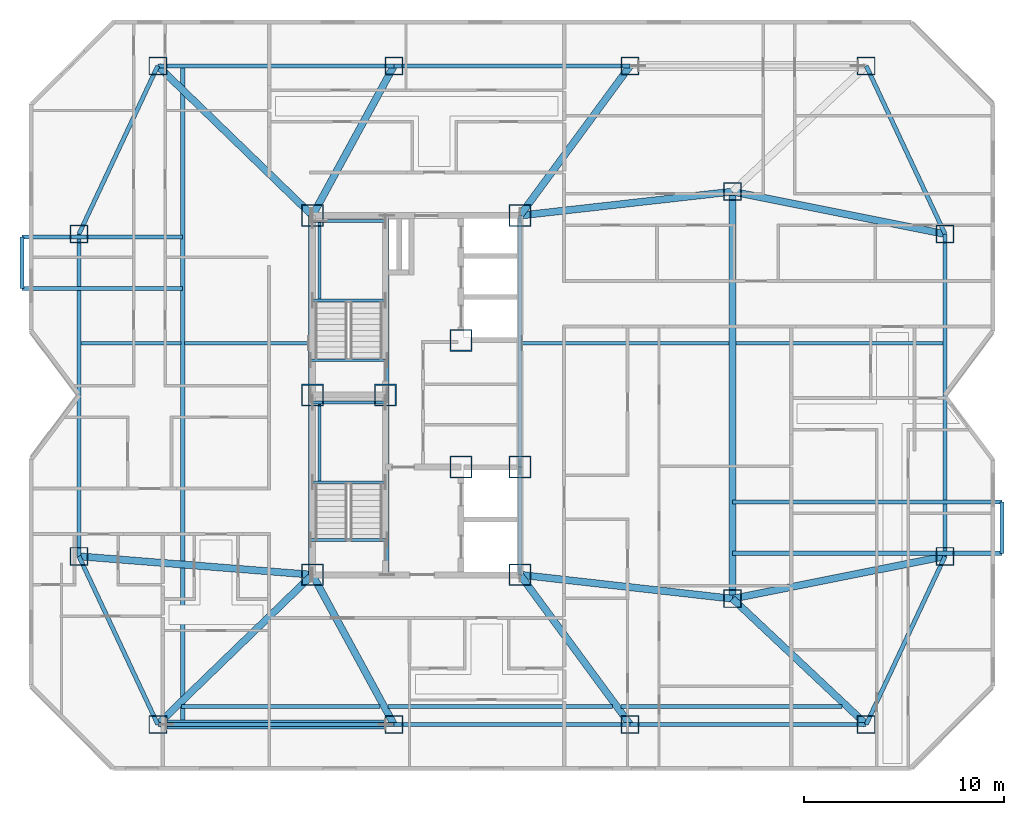
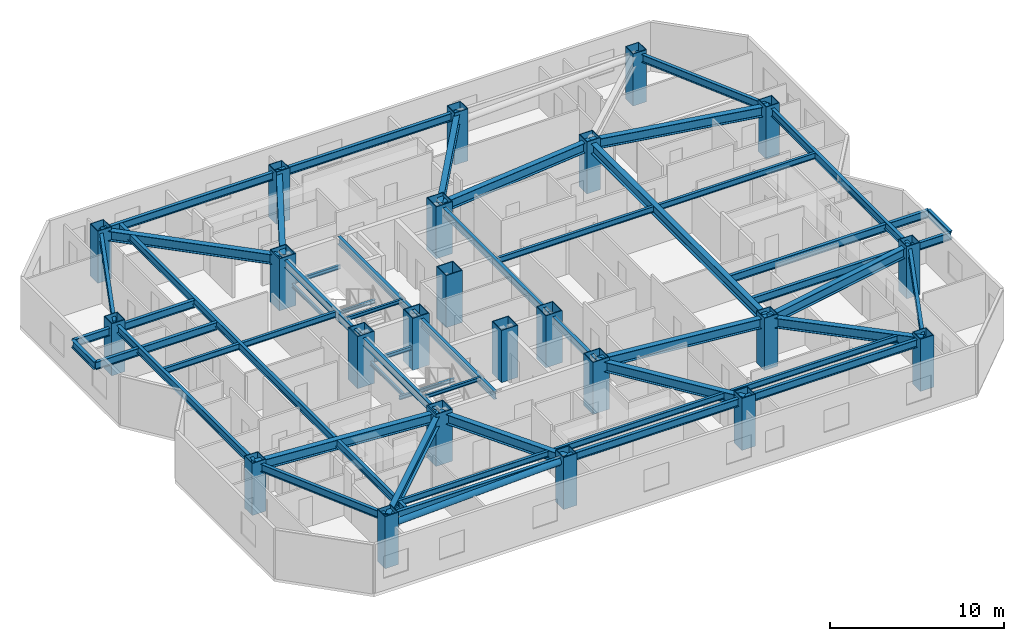
# One storey, part 1 of 13: 52 beams, 23 columns, 1 member.
"""IFC4 building model written with IfcOpenShell, lengths in metres."""

from ifc_helpers import new_model, si_unit, direction, frame, origin, origin_2d, place, context, subcontext, project, spatial, hollow_rectangle, hollow_circle, i_section, extrude, material, material_profile, profile_set, type_object, element, save


model = new_model("IFC4")

# Units and contexts
model_context = context("Model", 3, precision=1e-05, world=origin(), true_north=direction((0.0, 1.0)))
body_context = subcontext(model_context, "Body", "Model", "MODEL_VIEW")
ifc_project = project(units=[si_unit("LENGTHUNIT", "METRE"), si_unit("AREAUNIT", "SQUARE_METRE"), si_unit("VOLUMEUNIT", "CUBIC_METRE"), si_unit("PLANEANGLEUNIT", "RADIAN"), si_unit("MASSUNIT", "GRAM", prefix="KILO")], contexts=[model_context])

# Site, building, storey
site_placement = place(None, origin())
site = spatial("IfcSite", under=ifc_project, at=site_placement, CompositionType="ELEMENT")
building_placement = place(site_placement, origin())
building = spatial("IfcBuilding", under=site, at=building_placement, Name="Khamvora Tower", CompositionType="ELEMENT")
storey_placement = place(building_placement, frame((0.0, 0.0, 166.85009765625)))
storey = spatial("IfcBuildingStorey", under=building, at=storey_placement, Name="L42", CompositionType="ELEMENT", Elevation=166.85009765625)

# Columns
ifc_material_1 = material(Name="Steel S460", Category="steel")
ifc_material_profile_1 = material_profile(ifc_material_1, hollow_rectangle(XDim=1.10009765625, YDim=1.10009765625, WallThickness=0.054931640625, at=origin_2d()), Name="BOX1100x1100x55")
ifc_profile_set_1 = profile_set([ifc_material_profile_1], Name="Steel S460")
column_type_1 = type_object("IfcColumnType", Name="COL-BOX1100", PredefinedType="COLUMN", material=ifc_profile_set_1)
for number, where, z_axis, x_axis, name in (
    (1, (29.0, 19.0, 0.0), (0.0, 0.0, 1.0), (1.0, 0.0, 0.0), "L42 plumb core spine column SC1"),
    (2, (32.64990234375, 28.0, 0.0), (0.0, 0.0, 1.0), (1.0, 0.0, 0.0), "L42 plumb core spine column SC2"),
    (3, (39.39990234375, 19.0, 0.0), (0.0, 0.0, 1.0), (1.0, 0.0, 0.0), "L42 plumb core spine column SC3"),
    (4, (29.0, 28.0, 0.0), (0.0, 0.0, 1.0), (1.0, 0.0, 0.0), "L42 plumb core spine column SC4"),
    (5, (36.449951171875, 24.39990234375, 0.0), (0.0, 0.0, 1.0), (1.0, 0.0, 0.0), "L42 plumb core spine column SC5"),
    (6, (39.39990234375, 24.39990234375, 0.0), (0.0, 0.0, 1.0), (1.0, 0.0, 0.0), "L42 plumb core spine column SC6"),
    (7, (29.0, 37.0, 0.0), (0.0, 0.0, 1.0), (1.0, 0.0, 0.0), "L42 plumb core spine column SC7"),
    (8, (36.449951171875, 30.75, 0.0), (0.0, 0.0, 1.0), (1.0, 0.0, 0.0), "L42 plumb core spine column SC8"),
    (9, (39.39990234375, 37.0, 0.0), (0.0, 0.0, 1.0), (1.0, 0.0, 0.0), "L42 plumb core spine column SC9"),
):
    element("IfcColumn", number, at=place(storey_placement, frame(where, z_axis=z_axis, x_axis=x_axis)), inside=storey, type_object=column_type_1, Name=name, PredefinedType="COLUMN", context=body_context, shape_type="SweptSolid", body=[
        extrude(hollow_rectangle(XDim=1.10009765625, YDim=1.10009765625, WallThickness=0.054931640625, at=origin_2d()), origin(), (0.0, 0.0, 1.0), 3.64990234375),
    ])
ifc_material_2 = material(Name="Steel S355", Category="steel")
ifc_material_profile_2 = material_profile(ifc_material_2, hollow_rectangle(XDim=0.89990234375, YDim=0.89990234375, WallThickness=0.044921875, at=origin_2d()), Name="BOX900x900x45")
ifc_profile_set_2 = profile_set([ifc_material_profile_2], Name="Steel S355")
column_type_2 = type_object("IfcColumnType", Name="COL-BOX900", PredefinedType="COLUMN", material=ifc_profile_set_2)
for number, where, z_axis, x_axis, name in (
    (10, (21.25, 11.5, 0.0), (0.0, 0.0, 1.0), (1.0, 0.0, 0.0), "L42 structural frame column S1"),
    (11, (33.0830078125, 11.5, 0.0), (0.0, 0.0, 1.0), (1.0, 0.0, 0.0), "L42 structural frame column S2"),
    (12, (44.9169921875, 11.5, 0.0), (0.0, 0.0, 1.0), (1.0, 0.0, 0.0), "L42 structural frame column S3"),
    (13, (56.75, 11.5, 0.0), (0.0, 0.0, 1.0), (1.0, 0.0, 0.0), "L42 structural frame column S4"),
    (14, (21.25, 44.5, 0.0), (0.0, 0.0, 1.0), (1.0, 0.0, 0.0), "L42 structural frame column N1"),
    (15, (33.0830078125, 44.5, 0.0), (0.0, 0.0, 1.0), (1.0, 0.0, 0.0), "L42 structural frame column N2"),
    (16, (44.9169921875, 44.5, 0.0), (0.0, 0.0, 1.0), (1.0, 0.0, 0.0), "L42 structural frame column N3"),
    (17, (56.75, 44.5, 0.0), (0.0, 0.0, 1.0), (1.0, 0.0, 0.0), "L42 structural frame column N4"),
    (18, (17.300048828125, 19.925048828125, 0.0), (0.0, 0.0, 1.0), (1.0, 0.0, 0.0), "L42 structural frame column W1"),
    (19, (17.300048828125, 36.074951171875, 0.0), (0.0, 0.0, 1.0), (1.0, 0.0, 0.0), "L42 structural frame column W2"),
    (20, (60.699951171875, 19.925048828125, 0.0), (0.0, 0.0, 1.0), (1.0, 0.0, 0.0), "L42 structural frame column E1"),
    (21, (60.699951171875, 36.074951171875, 0.0), (0.0, 0.0, 1.0), (1.0, 0.0, 0.0), "L42 structural frame column E2"),
    (22, (50.050048828125, 17.800048828125, 0.0), (0.0, 0.0, 1.0), (1.0, 0.0, 0.0), "L42 structural frame column M1"),
    (23, (50.050048828125, 38.199951171875, 0.0), (0.0, 0.0, 1.0), (1.0, 0.0, 0.0), "L42 structural frame column M2"),
):
    element("IfcColumn", number, at=place(storey_placement, frame(where, z_axis=z_axis, x_axis=x_axis)), inside=storey, type_object=column_type_2, Name=name, PredefinedType="COLUMN", context=body_context, shape_type="SweptSolid", body=[
        extrude(hollow_rectangle(XDim=0.89990234375, YDim=0.89990234375, WallThickness=0.044921875, at=origin_2d()), origin(), (0.0, 0.0, 1.0), 3.64990234375),
    ])

# Beams
ifc_material_profile_3 = material_profile(ifc_material_2, i_section(OverallWidth=0.177978515625, OverallDepth=0.406982421875, WebThickness=0.008056640625, FlangeThickness=0.012939453125, FilletRadius=0.010009765625, at=origin_2d()), Name="W410x60")
ifc_profile_set_3 = profile_set([ifc_material_profile_3], Name="Steel S355")
beam_type_1 = type_object("IfcBeamType", Name="BM-JS-W410x60", PredefinedType="JOIST", material=ifc_profile_set_3)
beam_1_placement = place(storey_placement, frame((22.429931640625, 12.39990234375, 3.226806640625), z_axis=(1.0, 0.0, 0.0), x_axis=(0.0, 1.0, 0.0)))
element("IfcBeam", 24, at=beam_1_placement, inside=storey, type_object=beam_type_1, Name="L42 secondary floor joist 01", PredefinedType="JOIST", context=body_context, shape_type="SweptSolid", body=[
    extrude(i_section(OverallWidth=0.177978515625, OverallDepth=0.406982421875, WebThickness=0.008056640625, FlangeThickness=0.012939453125, FilletRadius=0.010009765625, at=origin_2d()), origin(), (0.0, 0.0, 1.0), 9.966064453125),
])
beam_2_placement = place(storey_placement, frame((32.7900390625, 12.39990234375, 3.226806640625), z_axis=(1.0, 0.0, 0.0), x_axis=(0.0, 1.0, 0.0)))
element("IfcBeam", 25, at=beam_2_placement, inside=storey, type_object=beam_type_1, Name="L42 secondary floor joist 02", PredefinedType="JOIST", context=body_context, shape_type="SweptSolid", body=[
    extrude(i_section(OverallWidth=0.177978515625, OverallDepth=0.406982421875, WebThickness=0.008056640625, FlangeThickness=0.012939453125, FilletRadius=0.010009765625, at=origin_2d()), origin(), (0.0, 0.0, 1.0), 11.25),
])
beam_3_placement = place(storey_placement, frame((44.469970703125, 12.39990234375, 3.226806640625), z_axis=(1.0, 0.0, 0.0), x_axis=(0.0, 1.0, 0.0)))
element("IfcBeam", 26, at=beam_3_placement, inside=storey, type_object=beam_type_1, Name="L42 secondary floor joist 03", PredefinedType="JOIST", context=body_context, shape_type="SweptSolid", body=[
    extrude(i_section(OverallWidth=0.177978515625, OverallDepth=0.406982421875, WebThickness=0.008056640625, FlangeThickness=0.012939453125, FilletRadius=0.010009765625, at=origin_2d()), origin(), (0.0, 0.0, 1.0), 11.069091796875),
])
beam_4_placement = place(storey_placement, frame((17.40087890625, 30.60009765625, 3.226806640625), z_axis=(1.0, 0.0, 0.0), x_axis=(0.0, 1.0, 0.0)))
element("IfcBeam", 27, at=beam_4_placement, inside=storey, type_object=beam_type_1, Name="L42 secondary floor joist 04", PredefinedType="JOIST", context=body_context, shape_type="SweptSolid", body=[
    extrude(i_section(OverallWidth=0.177978515625, OverallDepth=0.406982421875, WebThickness=0.008056640625, FlangeThickness=0.012939453125, FilletRadius=0.010009765625, at=origin_2d()), origin(), (0.0, 0.0, 1.0), 5.0),
])
beam_5_placement = place(storey_placement, frame((22.59912109375, 30.60009765625, 3.226806640625), z_axis=(1.0, 0.0, 0.0), x_axis=(0.0, 1.0, 0.0)))
element("IfcBeam", 28, at=beam_5_placement, inside=storey, type_object=beam_type_1, Name="L42 secondary floor joist 05", PredefinedType="JOIST", context=body_context, shape_type="SweptSolid", body=[
    extrude(i_section(OverallWidth=0.177978515625, OverallDepth=0.406982421875, WebThickness=0.008056640625, FlangeThickness=0.012939453125, FilletRadius=0.010009765625, at=origin_2d()), origin(), (0.0, 0.0, 1.0), 6.200927734375),
])
beam_6_placement = place(storey_placement, frame((39.4990234375, 30.60009765625, 3.226806640625), z_axis=(1.0, 0.0, 0.0), x_axis=(0.0, 1.0, 0.0)))
element("IfcBeam", 29, at=beam_6_placement, inside=storey, type_object=beam_type_1, Name="L42 secondary floor joist 06", PredefinedType="JOIST", context=body_context, shape_type="SweptSolid", body=[
    extrude(i_section(OverallWidth=0.177978515625, OverallDepth=0.406982421875, WebThickness=0.008056640625, FlangeThickness=0.012939453125, FilletRadius=0.010009765625, at=origin_2d()), origin(), (0.0, 0.0, 1.0), 10.3779296875),
])
beam_7_placement = place(storey_placement, frame((50.221923828125, 30.60009765625, 3.226806640625), z_axis=(1.0, 0.0, 0.0), x_axis=(0.0, 1.0, 0.0)))
element("IfcBeam", 30, at=beam_7_placement, inside=storey, type_object=beam_type_1, Name="L42 secondary floor joist 07", PredefinedType="JOIST", context=body_context, shape_type="SweptSolid", body=[
    extrude(i_section(OverallWidth=0.177978515625, OverallDepth=0.406982421875, WebThickness=0.008056640625, FlangeThickness=0.012939453125, FilletRadius=0.010009765625, at=origin_2d()), origin(), (0.0, 0.0, 1.0), 10.377197265625),
])
ifc_material_profile_4 = material_profile(ifc_material_2, i_section(OverallWidth=0.14697265625, OverallDepth=0.261962890625, WebThickness=0.007080078125, FlangeThickness=0.010986328125, FilletRadius=0.008056640625, at=origin_2d()), Name="W250x39")
ifc_profile_set_4 = profile_set([ifc_material_profile_4], Name="Steel S355")
beam_type_2 = type_object("IfcBeamType", Name="BM-LN-W250x39", PredefinedType="LINTEL", material=ifc_profile_set_4)
for number, where, z_axis, x_axis, name in (
    (31, (29.0, 23.635009765625, 1.493896484375), (1.0, 0.0, 0.0), (0.0, 1.0, 0.0), "L42 ST-01 half-landing support beam 1.1"),
    (32, (29.0, 27.6298828125, 1.493896484375), (1.0, 0.0, 0.0), (0.0, 1.0, 0.0), "L42 ST-01 half-landing support beam 1.2"),
):
    element("IfcBeam", number, at=place(storey_placement, frame(where, z_axis=z_axis, x_axis=x_axis)), inside=storey, type_object=beam_type_2, Name=name, PredefinedType="LINTEL", context=body_context, shape_type="SweptSolid", body=[
        extrude(i_section(OverallWidth=0.14697265625, OverallDepth=0.261962890625, WebThickness=0.007080078125, FlangeThickness=0.010986328125, FilletRadius=0.008056640625, at=origin_2d()), origin(), (0.0, 0.0, 1.0), 3.64990234375),
    ])
beam_8_placement = place(storey_placement, frame((29.35009765625, 23.635009765625, 1.493896484375), z_axis=(0.0, 1.0, 0.0), x_axis=(-1.0, 0.0, 0.0)))
element("IfcBeam", 33, at=beam_8_placement, inside=storey, type_object=beam_type_2, Name="L42 ST-01 half-landing edge stringer 1", PredefinedType="LINTEL", context=body_context, shape_type="SweptSolid", body=[
    extrude(i_section(OverallWidth=0.14697265625, OverallDepth=0.261962890625, WebThickness=0.007080078125, FlangeThickness=0.010986328125, FilletRadius=0.008056640625, at=origin_2d()), origin(), (0.0, 0.0, 1.0), 3.994873046875),
])
for number, where, z_axis, x_axis, name in (
    (34, (29.0, 32.735107421875, 1.493896484375), (1.0, 0.0, 0.0), (0.0, 1.0, 0.0), "L42 ST-02 half-landing support beam 1.1"),
    (35, (29.0, 36.72998046875, 1.493896484375), (1.0, 0.0, 0.0), (0.0, 1.0, 0.0), "L42 ST-02 half-landing support beam 1.2"),
):
    element("IfcBeam", number, at=place(storey_placement, frame(where, z_axis=z_axis, x_axis=x_axis)), inside=storey, type_object=beam_type_2, Name=name, PredefinedType="LINTEL", context=body_context, shape_type="SweptSolid", body=[
        extrude(i_section(OverallWidth=0.14697265625, OverallDepth=0.261962890625, WebThickness=0.007080078125, FlangeThickness=0.010986328125, FilletRadius=0.008056640625, at=origin_2d()), origin(), (0.0, 0.0, 1.0), 3.64990234375),
    ])
beam_9_placement = place(storey_placement, frame((29.35009765625, 32.735107421875, 1.493896484375), z_axis=(0.0, 1.0, 0.0), x_axis=(-1.0, 0.0, 0.0)))
element("IfcBeam", 36, at=beam_9_placement, inside=storey, type_object=beam_type_2, Name="L42 ST-02 half-landing edge stringer 1", PredefinedType="LINTEL", context=body_context, shape_type="SweptSolid", body=[
    extrude(i_section(OverallWidth=0.14697265625, OverallDepth=0.261962890625, WebThickness=0.007080078125, FlangeThickness=0.010986328125, FilletRadius=0.008056640625, at=origin_2d()), origin(), (0.0, 0.0, 1.0), 3.994873046875),
])
for number, where, z_axis, x_axis, name in (
    (37, (28.89990234375, 20.75, 3.303955078125), (1.0, 0.0, 0.0), (0.0, 1.0, 0.0), "L42 exit stair ST-01 landing trimmer beam"),
    (38, (28.89990234375, 29.75, 3.303955078125), (1.0, 0.0, 0.0), (0.0, 1.0, 0.0), "L42 exit stair ST-02 landing trimmer beam"),
):
    element("IfcBeam", number, at=place(storey_placement, frame(where, z_axis=z_axis, x_axis=x_axis)), inside=storey, type_object=beam_type_2, Name=name, PredefinedType="LINTEL", context=body_context, shape_type="SweptSolid", body=[
        extrude(i_section(OverallWidth=0.14697265625, OverallDepth=0.261962890625, WebThickness=0.007080078125, FlangeThickness=0.010986328125, FilletRadius=0.008056640625, at=origin_2d()), origin(), (0.0, 0.0, 1.0), 3.830078125),
    ])
ifc_material_profile_5 = material_profile(ifc_material_2, i_section(OverallWidth=0.35498046875, OverallDepth=0.695068359375, WebThickness=0.014892578125, FlangeThickness=0.02490234375, FilletRadius=0.01611328125, at=origin_2d()), Name="W690x217")
ifc_profile_set_5 = profile_set([ifc_material_profile_5], Name="Steel S355")
beam_type_3 = type_object("IfcBeamType", Name="BM-PG-W690x217", PredefinedType="BEAM", material=ifc_profile_set_5)
beam_10_placement = place(storey_placement, frame((50.050048828125, 17.800048828125, 3.0830078125), z_axis=(0.0, 1.0, 0.0), x_axis=(-1.0, 0.0, 0.0)))
element("IfcBeam", 39, at=beam_10_placement, inside=storey, type_object=beam_type_3, Name="L42 longitudinal frame girder M1-M2", PredefinedType="BEAM", context=body_context, shape_type="SweptSolid", body=[
    extrude(i_section(OverallWidth=0.35498046875, OverallDepth=0.695068359375, WebThickness=0.014892578125, FlangeThickness=0.02490234375, FilletRadius=0.01611328125, at=origin_2d()), origin(), (0.0, 0.0, 1.0), 20.39990234375),
])
beam_11_placement = place(storey_placement, frame((29.0, 19.0, 3.0830078125), z_axis=(-0.718602141767, -0.695421427516, 0.0), x_axis=(0.695421427516, -0.718602141767, 0.0)))
element("IfcBeam", 40, at=beam_11_placement, inside=storey, type_object=beam_type_3, Name="L42 primary floor girder S1", PredefinedType="BEAM", context=body_context, shape_type="SweptSolid", body=[
    extrude(i_section(OverallWidth=0.35498046875, OverallDepth=0.695068359375, WebThickness=0.014892578125, FlangeThickness=0.02490234375, FilletRadius=0.01611328125, at=origin_2d()), origin(), (0.0, 0.0, 1.0), 10.784912109375),
])
beam_12_placement = place(storey_placement, frame((29.0, 19.0, 3.0830078125), z_axis=(0.478138862063, -0.878284252725, 0.0), x_axis=(0.878284252725, 0.478138862063, 0.0)))
element("IfcBeam", 41, at=beam_12_placement, inside=storey, type_object=beam_type_3, Name="L42 primary floor girder S2", PredefinedType="BEAM", context=body_context, shape_type="SweptSolid", body=[
    extrude(i_section(OverallWidth=0.35498046875, OverallDepth=0.695068359375, WebThickness=0.014892578125, FlangeThickness=0.02490234375, FilletRadius=0.01611328125, at=origin_2d()), origin(), (0.0, 0.0, 1.0), 8.539306640625),
])
beam_13_placement = place(storey_placement, frame((39.39990234375, 19.0, 3.0830078125), z_axis=(0.592556630955, -0.805528794713, 0.0), x_axis=(0.805528794713, 0.592556630955, 0.0)))
element("IfcBeam", 42, at=beam_13_placement, inside=storey, type_object=beam_type_3, Name="L42 primary floor girder S3", PredefinedType="BEAM", context=body_context, shape_type="SweptSolid", body=[
    extrude(i_section(OverallWidth=0.35498046875, OverallDepth=0.695068359375, WebThickness=0.014892578125, FlangeThickness=0.02490234375, FilletRadius=0.01611328125, at=origin_2d()), origin(), (0.0, 0.0, 1.0), 9.310546875),
])
beam_14_placement = place(storey_placement, frame((50.050048828125, 17.800048828125, 3.0830078125), z_axis=(0.728513992294, -0.685030921224, 0.0), x_axis=(0.685030921224, 0.728513992294, 0.0)))
element("IfcBeam", 43, at=beam_14_placement, inside=storey, type_object=beam_type_3, Name="L42 primary floor girder S4", PredefinedType="BEAM", context=body_context, shape_type="SweptSolid", body=[
    extrude(i_section(OverallWidth=0.35498046875, OverallDepth=0.695068359375, WebThickness=0.014892578125, FlangeThickness=0.02490234375, FilletRadius=0.01611328125, at=origin_2d()), origin(), (0.0, 0.0, 1.0), 9.19677734375),
])
beam_15_placement = place(storey_placement, frame((29.0, 37.0, 3.0830078125), z_axis=(-0.718602141767, 0.695421427516, 0.0), x_axis=(-0.695421427516, -0.718602141767, 0.0)))
element("IfcBeam", 44, at=beam_15_placement, inside=storey, type_object=beam_type_3, Name="L42 primary floor girder N1", PredefinedType="BEAM", context=body_context, shape_type="SweptSolid", body=[
    extrude(i_section(OverallWidth=0.35498046875, OverallDepth=0.695068359375, WebThickness=0.014892578125, FlangeThickness=0.02490234375, FilletRadius=0.01611328125, at=origin_2d()), origin(), (0.0, 0.0, 1.0), 10.784912109375),
])
beam_16_placement = place(storey_placement, frame((29.0, 37.0, 3.0830078125), z_axis=(0.478138862063, 0.878284252725, 0.0), x_axis=(-0.878284252725, 0.478138862063, 0.0)))
element("IfcBeam", 45, at=beam_16_placement, inside=storey, type_object=beam_type_3, Name="L42 primary floor girder N2", PredefinedType="BEAM", context=body_context, shape_type="SweptSolid", body=[
    extrude(i_section(OverallWidth=0.35498046875, OverallDepth=0.695068359375, WebThickness=0.014892578125, FlangeThickness=0.02490234375, FilletRadius=0.01611328125, at=origin_2d()), origin(), (0.0, 0.0, 1.0), 8.539306640625),
])
beam_17_placement = place(storey_placement, frame((39.39990234375, 37.0, 3.0830078125), z_axis=(0.592556630955, 0.805528794713, 0.0), x_axis=(-0.805528794713, 0.592556630955, 0.0)))
element("IfcBeam", 46, at=beam_17_placement, inside=storey, type_object=beam_type_3, Name="L42 primary floor girder N3", PredefinedType="BEAM", context=body_context, shape_type="SweptSolid", body=[
    extrude(i_section(OverallWidth=0.35498046875, OverallDepth=0.695068359375, WebThickness=0.014892578125, FlangeThickness=0.02490234375, FilletRadius=0.01611328125, at=origin_2d()), origin(), (0.0, 0.0, 1.0), 9.310546875),
])
beam_18_placement = place(storey_placement, frame((29.0, 19.0, 3.0830078125), z_axis=(-0.996888993668, 0.078818362728, 0.0), x_axis=(-0.078818362728, -0.996888993668, 0.0)))
element("IfcBeam", 47, at=beam_18_placement, inside=storey, type_object=beam_type_3, Name="L42 primary floor girder W1", PredefinedType="BEAM", context=body_context, shape_type="SweptSolid", body=[
    extrude(i_section(OverallWidth=0.35498046875, OverallDepth=0.695068359375, WebThickness=0.014892578125, FlangeThickness=0.02490234375, FilletRadius=0.01611328125, at=origin_2d()), origin(), (0.0, 0.0, 1.0), 11.736572265625),
])
for number, where, z_axis, x_axis, name in (
    (48, (50.050048828125, 17.800048828125, 3.0830078125), (0.980668771461, 0.195675140681, 0.0), (-0.195675140681, 0.980668771461, 0.0), "L42 primary floor girder E1"),
    (49, (50.050048828125, 38.199951171875, 3.0830078125), (0.980668771461, -0.195675140681, 0.0), (0.195675140681, 0.980668771461, 0.0), "L42 primary floor girder E2"),
):
    element("IfcBeam", number, at=place(storey_placement, frame(where, z_axis=z_axis, x_axis=x_axis)), inside=storey, type_object=beam_type_3, Name=name, PredefinedType="BEAM", context=body_context, shape_type="SweptSolid", body=[
        extrude(i_section(OverallWidth=0.35498046875, OverallDepth=0.695068359375, WebThickness=0.014892578125, FlangeThickness=0.02490234375, FilletRadius=0.01611328125, at=origin_2d()), origin(), (0.0, 0.0, 1.0), 10.85986328125),
    ])
for number, where, z_axis, x_axis, name in (
    (50, (39.39990234375, 19.0, 3.0830078125), (0.993712543569, -0.111961514606, 0.0), (0.111961514606, 0.993712543569, 0.0), "L42 primary floor girder M1"),
    (51, (39.39990234375, 37.0, 3.0830078125), (0.993712543569, 0.111961514606, 0.0), (-0.111961514606, 0.993712543569, 0.0), "L42 primary floor girder M2"),
):
    element("IfcBeam", number, at=place(storey_placement, frame(where, z_axis=z_axis, x_axis=x_axis)), inside=storey, type_object=beam_type_3, Name=name, PredefinedType="BEAM", context=body_context, shape_type="SweptSolid", body=[
        extrude(i_section(OverallWidth=0.35498046875, OverallDepth=0.695068359375, WebThickness=0.014892578125, FlangeThickness=0.02490234375, FilletRadius=0.01611328125, at=origin_2d()), origin(), (0.0, 0.0, 1.0), 10.717529296875),
    ])
ifc_material_profile_6 = material_profile(ifc_material_2, i_section(OverallWidth=0.2119140625, OverallDepth=0.5439453125, WebThickness=0.012939453125, FlangeThickness=0.02099609375, FilletRadius=0.013916015625, at=origin_2d()), Name="W530x123")
ifc_profile_set_6 = profile_set([ifc_material_profile_6], Name="Steel S355")
beam_type_4 = type_object("IfcBeamType", Name="BM-SP-W530x123", PredefinedType="SPANDREL", material=ifc_profile_set_6)
beam_19_placement = place(storey_placement, frame((17.300048828125, 19.925048828125, 3.157958984375), z_axis=(0.424496391454, -0.905429629315, 0.0), x_axis=(0.905429629315, 0.424496391454, 0.0)))
element("IfcBeam", 52, at=beam_19_placement, inside=storey, type_object=beam_type_4, Name="L42 perimeter spandrel beam W1-S1", PredefinedType="SPANDREL", context=body_context, shape_type="SweptSolid", body=[
    extrude(i_section(OverallWidth=0.2119140625, OverallDepth=0.5439453125, WebThickness=0.012939453125, FlangeThickness=0.02099609375, FilletRadius=0.013916015625, at=origin_2d()), origin(), (0.0, 0.0, 1.0), 9.304931640625),
])
beam_20_placement = place(storey_placement, frame((21.25, 11.5, 3.157958984375), z_axis=(1.0, 0.0, 0.0), x_axis=(0.0, 1.0, 0.0)))
element("IfcBeam", 53, at=beam_20_placement, inside=storey, type_object=beam_type_4, Name="L42 perimeter spandrel beam S1-S2", PredefinedType="SPANDREL", context=body_context, shape_type="SweptSolid", body=[
    extrude(i_section(OverallWidth=0.2119140625, OverallDepth=0.5439453125, WebThickness=0.012939453125, FlangeThickness=0.02099609375, FilletRadius=0.013916015625, at=origin_2d()), origin(), (0.0, 0.0, 1.0), 11.8330078125),
])
beam_21_placement = place(storey_placement, frame((33.0830078125, 11.5, 3.157958984375), z_axis=(1.0, 0.0, 0.0), x_axis=(0.0, 1.0, 0.0)))
element("IfcBeam", 54, at=beam_21_placement, inside=storey, type_object=beam_type_4, Name="L42 perimeter spandrel beam S2-S3", PredefinedType="SPANDREL", context=body_context, shape_type="SweptSolid", body=[
    extrude(i_section(OverallWidth=0.2119140625, OverallDepth=0.5439453125, WebThickness=0.012939453125, FlangeThickness=0.02099609375, FilletRadius=0.013916015625, at=origin_2d()), origin(), (0.0, 0.0, 1.0), 11.833984375),
])
beam_22_placement = place(storey_placement, frame((44.9169921875, 11.5, 3.157958984375), z_axis=(1.0, 0.0, 0.0), x_axis=(0.0, 1.0, 0.0)))
element("IfcBeam", 55, at=beam_22_placement, inside=storey, type_object=beam_type_4, Name="L42 perimeter spandrel beam S3-S4", PredefinedType="SPANDREL", context=body_context, shape_type="SweptSolid", body=[
    extrude(i_section(OverallWidth=0.2119140625, OverallDepth=0.5439453125, WebThickness=0.012939453125, FlangeThickness=0.02099609375, FilletRadius=0.013916015625, at=origin_2d()), origin(), (0.0, 0.0, 1.0), 11.8330078125),
])
beam_23_placement = place(storey_placement, frame((56.75, 11.5, 3.157958984375), z_axis=(0.424496391454, 0.905429629315, 0.0), x_axis=(-0.905429629315, 0.424496391454, 0.0)))
element("IfcBeam", 56, at=beam_23_placement, inside=storey, type_object=beam_type_4, Name="L42 perimeter spandrel beam S4-E1", PredefinedType="SPANDREL", context=body_context, shape_type="SweptSolid", body=[
    extrude(i_section(OverallWidth=0.2119140625, OverallDepth=0.5439453125, WebThickness=0.012939453125, FlangeThickness=0.02099609375, FilletRadius=0.013916015625, at=origin_2d()), origin(), (0.0, 0.0, 1.0), 9.304931640625),
])
beam_24_placement = place(storey_placement, frame((60.699951171875, 19.925048828125, 3.157958984375), z_axis=(0.0, 1.0, 0.0), x_axis=(-1.0, 0.0, 0.0)))
element("IfcBeam", 57, at=beam_24_placement, inside=storey, type_object=beam_type_4, Name="L42 perimeter spandrel beam E1-E2", PredefinedType="SPANDREL", context=body_context, shape_type="SweptSolid", body=[
    extrude(i_section(OverallWidth=0.2119140625, OverallDepth=0.5439453125, WebThickness=0.012939453125, FlangeThickness=0.02099609375, FilletRadius=0.013916015625, at=origin_2d()), origin(), (0.0, 0.0, 1.0), 16.14990234375),
])
beam_25_placement = place(storey_placement, frame((60.699951171875, 36.074951171875, 3.157958984375), z_axis=(-0.424496391454, 0.905429629315, 0.0), x_axis=(-0.905429629315, -0.424496391454, 0.0)))
element("IfcBeam", 58, at=beam_25_placement, inside=storey, type_object=beam_type_4, Name="L42 perimeter spandrel beam E2-N4", PredefinedType="SPANDREL", context=body_context, shape_type="SweptSolid", body=[
    extrude(i_section(OverallWidth=0.2119140625, OverallDepth=0.5439453125, WebThickness=0.012939453125, FlangeThickness=0.02099609375, FilletRadius=0.013916015625, at=origin_2d()), origin(), (0.0, 0.0, 1.0), 9.304931640625),
])
beam_26_placement = place(storey_placement, frame((44.9169921875, 44.5, 3.157958984375), z_axis=(-1.0, 0.0, 0.0), x_axis=(0.0, -1.0, 0.0)))
element("IfcBeam", 59, at=beam_26_placement, inside=storey, type_object=beam_type_4, Name="L42 perimeter spandrel beam N3-N2", PredefinedType="SPANDREL", context=body_context, shape_type="SweptSolid", body=[
    extrude(i_section(OverallWidth=0.2119140625, OverallDepth=0.5439453125, WebThickness=0.012939453125, FlangeThickness=0.02099609375, FilletRadius=0.013916015625, at=origin_2d()), origin(), (0.0, 0.0, 1.0), 11.833984375),
])
beam_27_placement = place(storey_placement, frame((33.0830078125, 44.5, 3.157958984375), z_axis=(-1.0, 0.0, 0.0), x_axis=(0.0, -1.0, 0.0)))
element("IfcBeam", 60, at=beam_27_placement, inside=storey, type_object=beam_type_4, Name="L42 perimeter spandrel beam N2-N1", PredefinedType="SPANDREL", context=body_context, shape_type="SweptSolid", body=[
    extrude(i_section(OverallWidth=0.2119140625, OverallDepth=0.5439453125, WebThickness=0.012939453125, FlangeThickness=0.02099609375, FilletRadius=0.013916015625, at=origin_2d()), origin(), (0.0, 0.0, 1.0), 11.8330078125),
])
beam_28_placement = place(storey_placement, frame((21.25, 44.5, 3.157958984375), z_axis=(-0.424496391454, -0.905429629315, 0.0), x_axis=(0.905429629315, -0.424496391454, 0.0)))
element("IfcBeam", 61, at=beam_28_placement, inside=storey, type_object=beam_type_4, Name="L42 perimeter spandrel beam N1-W2", PredefinedType="SPANDREL", context=body_context, shape_type="SweptSolid", body=[
    extrude(i_section(OverallWidth=0.2119140625, OverallDepth=0.5439453125, WebThickness=0.012939453125, FlangeThickness=0.02099609375, FilletRadius=0.013916015625, at=origin_2d()), origin(), (0.0, 0.0, 1.0), 9.304931640625),
])
beam_29_placement = place(storey_placement, frame((17.300048828125, 36.074951171875, 3.157958984375), z_axis=(0.0, -1.0, 0.0), x_axis=(1.0, 0.0, 0.0)))
element("IfcBeam", 62, at=beam_29_placement, inside=storey, type_object=beam_type_4, Name="L42 perimeter spandrel beam W2-W1", PredefinedType="SPANDREL", context=body_context, shape_type="SweptSolid", body=[
    extrude(i_section(OverallWidth=0.2119140625, OverallDepth=0.5439453125, WebThickness=0.012939453125, FlangeThickness=0.02099609375, FilletRadius=0.013916015625, at=origin_2d()), origin(), (0.0, 0.0, 1.0), 16.14990234375),
])
ifc_material_profile_7 = material_profile(ifc_material_2, i_section(OverallWidth=0.208984375, OverallDepth=0.532958984375, WebThickness=0.010009765625, FlangeThickness=0.01611328125, FilletRadius=0.013916015625, at=origin_2d()), Name="W530x92")
ifc_profile_set_7 = profile_set([ifc_material_profile_7], Name="Steel S355")
beam_type_5 = type_object("IfcBeamType", Name="BM-SP-W530x92", PredefinedType="SPANDREL", material=ifc_profile_set_7)
for number, where, z_axis, x_axis, name in (
    (63, (28.89990234375, 19.0, 3.162841796875), (0.0, 1.0, 0.0), (-1.0, 0.0, 0.0), "L42 core spine girder WS"),
    (64, (28.89990234375, 28.0, 3.162841796875), (0.0, 1.0, 0.0), (-1.0, 0.0, 0.0), "L42 core spine girder WN"),
    (65, (32.72998046875, 19.0, 3.162841796875), (0.0, 1.0, 0.0), (-1.0, 0.0, 0.0), "L42 core spine girder M1S"),
    (66, (32.72998046875, 28.0, 3.162841796875), (0.0, 1.0, 0.0), (-1.0, 0.0, 0.0), "L42 core spine girder M1N"),
):
    element("IfcBeam", number, at=place(storey_placement, frame(where, z_axis=z_axis, x_axis=x_axis)), inside=storey, type_object=beam_type_5, Name=name, PredefinedType="SPANDREL", context=body_context, shape_type="SweptSolid", body=[
        extrude(i_section(OverallWidth=0.208984375, OverallDepth=0.532958984375, WebThickness=0.010009765625, FlangeThickness=0.01611328125, FilletRadius=0.013916015625, at=origin_2d()), origin(), (0.0, 0.0, 1.0), 9.0),
    ])
beam_30_placement = place(storey_placement, frame((39.39990234375, 19.0, 3.162841796875), z_axis=(0.0, 1.0, 0.0), x_axis=(-1.0, 0.0, 0.0)))
element("IfcBeam", 67, at=beam_30_placement, inside=storey, type_object=beam_type_5, Name="L42 core spine girder ES", PredefinedType="SPANDREL", context=body_context, shape_type="SweptSolid", body=[
    extrude(i_section(OverallWidth=0.208984375, OverallDepth=0.532958984375, WebThickness=0.010009765625, FlangeThickness=0.01611328125, FilletRadius=0.013916015625, at=origin_2d()), origin(), (0.0, 0.0, 1.0), 5.39990234375),
])
beam_31_placement = place(storey_placement, frame((39.39990234375, 24.39990234375, 3.162841796875), z_axis=(0.0, 1.0, 0.0), x_axis=(-1.0, 0.0, 0.0)))
element("IfcBeam", 68, at=beam_31_placement, inside=storey, type_object=beam_type_5, Name="L42 core spine girder EN", PredefinedType="SPANDREL", context=body_context, shape_type="SweptSolid", body=[
    extrude(i_section(OverallWidth=0.208984375, OverallDepth=0.532958984375, WebThickness=0.010009765625, FlangeThickness=0.01611328125, FilletRadius=0.013916015625, at=origin_2d()), origin(), (0.0, 0.0, 1.0), 12.60009765625),
])
for number, where, z_axis, x_axis, name in (
    (69, (50.050048828125, 20.074951171875, 2.9638671875), (1.0, 0.0, 0.0), (0.0, 1.0, 0.0), "L42 continuous gallery cantilever girder L43-EL1-1"),
    (70, (50.050048828125, 22.64990234375, 2.9638671875), (1.0, 0.0, 0.0), (0.0, 1.0, 0.0), "L42 continuous gallery cantilever girder L43-EL1-2"),
):
    element("IfcBeam", number, at=place(storey_placement, frame(where, z_axis=z_axis, x_axis=x_axis)), inside=storey, type_object=beam_type_5, Name=name, PredefinedType="SPANDREL", context=body_context, shape_type="SweptSolid", body=[
        extrude(i_section(OverallWidth=0.208984375, OverallDepth=0.532958984375, WebThickness=0.010009765625, FlangeThickness=0.01611328125, FilletRadius=0.013916015625, at=origin_2d()), origin(), (0.0, 0.0, 1.0), 13.5),
    ])
beam_32_placement = place(storey_placement, frame((63.550048828125, 20.074951171875, 2.9638671875), z_axis=(0.0, 1.0, 0.0), x_axis=(-1.0, 0.0, 0.0)))
element("IfcBeam", 71, at=beam_32_placement, inside=storey, type_object=beam_type_5, Name="L42 external gallery edge header beam L43-EL1", PredefinedType="SPANDREL", context=body_context, shape_type="SweptSolid", body=[
    extrude(i_section(OverallWidth=0.208984375, OverallDepth=0.532958984375, WebThickness=0.010009765625, FlangeThickness=0.01611328125, FilletRadius=0.013916015625, at=origin_2d()), origin(), (0.0, 0.0, 1.0), 2.574951171875),
])
beam_33_placement = place(storey_placement, frame((22.5, 11.5, 3.162841796875), z_axis=(0.0, 1.0, 0.0), x_axis=(-1.0, 0.0, 0.0)))
element("IfcBeam", 72, at=beam_33_placement, inside=storey, type_object=beam_type_5, Name="L42 gallery back-span collector girder W", PredefinedType="SPANDREL", context=body_context, shape_type="SweptSolid", body=[
    extrude(i_section(OverallWidth=0.208984375, OverallDepth=0.532958984375, WebThickness=0.010009765625, FlangeThickness=0.01611328125, FilletRadius=0.013916015625, at=origin_2d()), origin(), (0.0, 0.0, 1.0), 33.0),
])
for number, where, z_axis, x_axis, name in (
    (73, (22.5, 33.35009765625, 2.9638671875), (-1.0, 0.0, 0.0), (0.0, -1.0, 0.0), "L42 continuous gallery cantilever girder L43-WL2-1"),
    (74, (22.5, 35.925048828125, 2.9638671875), (-1.0, 0.0, 0.0), (0.0, -1.0, 0.0), "L42 continuous gallery cantilever girder L43-WL2-2"),
):
    element("IfcBeam", number, at=place(storey_placement, frame(where, z_axis=z_axis, x_axis=x_axis)), inside=storey, type_object=beam_type_5, Name=name, PredefinedType="SPANDREL", context=body_context, shape_type="SweptSolid", body=[
        extrude(i_section(OverallWidth=0.208984375, OverallDepth=0.532958984375, WebThickness=0.010009765625, FlangeThickness=0.01611328125, FilletRadius=0.013916015625, at=origin_2d()), origin(), (0.0, 0.0, 1.0), 8.050048828125),
    ])
beam_34_placement = place(storey_placement, frame((14.449951171875, 33.35009765625, 2.9638671875), z_axis=(0.0, 1.0, 0.0), x_axis=(-1.0, 0.0, 0.0)))
element("IfcBeam", 75, at=beam_34_placement, inside=storey, type_object=beam_type_5, Name="L42 external gallery edge header beam L43-WL2", PredefinedType="SPANDREL", context=body_context, shape_type="SweptSolid", body=[
    extrude(i_section(OverallWidth=0.208984375, OverallDepth=0.532958984375, WebThickness=0.010009765625, FlangeThickness=0.01611328125, FilletRadius=0.013916015625, at=origin_2d()), origin(), (0.0, 0.0, 1.0), 2.574951171875),
])

# Member
ifc_material_profile_8 = material_profile(ifc_material_2, hollow_circle(Radius=0.228515625, WallThickness=0.02001953125, at=origin_2d()), Name="CHS457x20")
ifc_profile_set_8 = profile_set([ifc_material_profile_8], Name="Steel S355")
member_type = type_object("IfcMemberType", Name="MEM-BR-CHS457", PredefinedType="BRACE", material=ifc_profile_set_8)
member_placement = place(storey_placement, frame((21.679931640625, 11.5, 2.697998046875), z_axis=(0.999175762718, 0.0, 0.040593043713), x_axis=(0.0, 1.0, 0.0)))
element("IfcMember", 76, at=member_placement, inside=storey, type_object=member_type, Name="L42 perimeter wind brace 1", PredefinedType="BRACE", context=body_context, shape_type="SweptSolid", body=[
    extrude(hollow_circle(Radius=0.228515625, WallThickness=0.02001953125, at=origin_2d()), origin(), (0.0, 0.0, 1.0), 10.982177734375),
])

save(model, "model.ifc")
